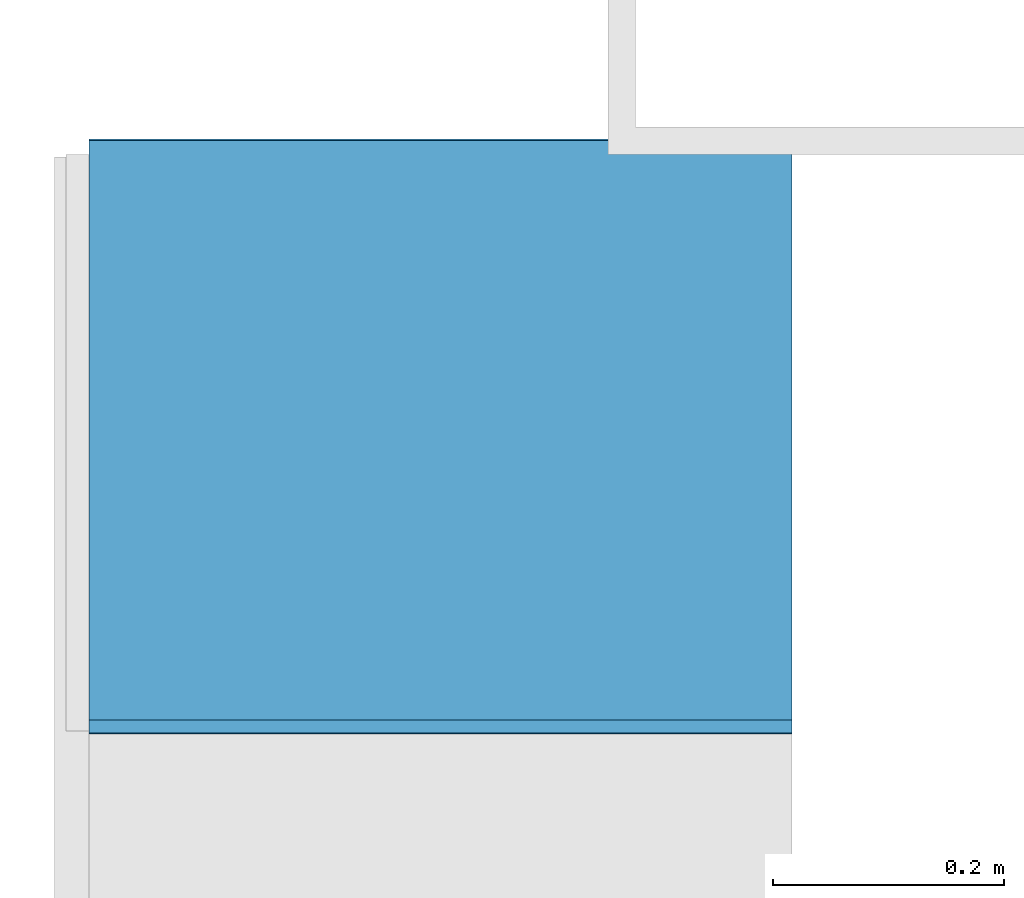
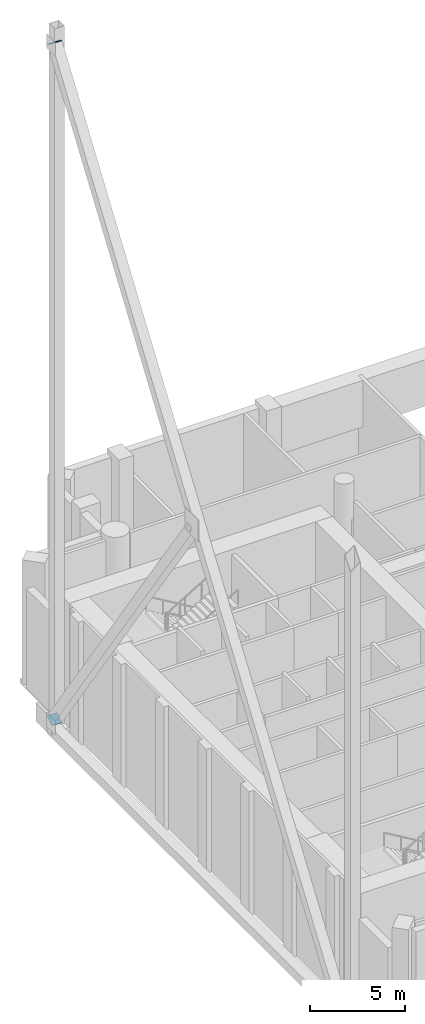
# One storey, part 7 of 14: 2 discrete accessories.
"""IFC4 building model written with IfcOpenShell, lengths in metres."""

from ifc_helpers import new_model, si_unit, direction, frame, origin, origin_2d, place, context, subcontext, project, spatial, rectangle, extrude, material, material_profile, profile_set, type_object, element, save


model = new_model("IFC4")

# Units and contexts
model_context = context("Model", 3, precision=1e-05, world=origin(), true_north=direction((0.0, 1.0)))
body_context = subcontext(model_context, "Body", "Model", "MODEL_VIEW")
ifc_project = project(units=[si_unit("LENGTHUNIT", "METRE"), si_unit("AREAUNIT", "SQUARE_METRE"), si_unit("VOLUMEUNIT", "CUBIC_METRE"), si_unit("PLANEANGLEUNIT", "RADIAN"), si_unit("MASSUNIT", "GRAM", prefix="KILO")], contexts=[model_context])

# Site, building, storey
site_placement = place(None, origin())
site = spatial("IfcSite", under=ifc_project, at=site_placement, CompositionType="ELEMENT")
building_placement = place(site_placement, origin())
building = spatial("IfcBuilding", under=site, at=building_placement, Name="Cypress Arch Tower", CompositionType="ELEMENT")
storey_placement = place(building_placement, frame((0.0, 0.0, 152.5)))
storey = spatial("IfcBuildingStorey", under=building, at=storey_placement, Name="L33", CompositionType="ELEMENT", Elevation=152.5)

# Discrete accessories
ifc_material = material(Name="Steel ASTM A992", Category="steel")
ifc_material_profile = material_profile(ifc_material, rectangle(XDim=0.609619140625, YDim=0.609619140625, at=origin_2d()), Name="PL 20 610x610")
ifc_profile_set = profile_set([ifc_material_profile], Name="Steel ASTM A992")
discrete_accessory_type = type_object("IfcDiscreteAccessoryType", Name="End cap plate 610x610x20 Steel ASTM A992", PredefinedType="ANCHORPLATE", material=ifc_profile_set)
discrete_accessory_1_placement = place(storey_placement, frame((-30.7548828125, 15.044921875, 44.23291015625), z_axis=(0.0, 0.566006502692, 0.824400775661), x_axis=(-1.0, 0.0, 0.0)))
element("IfcDiscreteAccessory", 1, at=discrete_accessory_1_placement, inside=storey, type_object=discrete_accessory_type, Name="End cap plate west bracing 3", PredefinedType="ANCHORPLATE", context=body_context, shape_type="SweptSolid", body=[
    extrude(rectangle(XDim=0.609619140625, YDim=0.609619140625, at=origin_2d()), origin(), (0.0, 0.0, 1.0), 0.019775390625),
])
discrete_accessory_2_placement = place(storey_placement, frame((-30.7548828125, 15.044921875, 0.667236328125), z_axis=(0.0, 0.560309367704, -0.828283413128), x_axis=(-1.0, 0.0, 0.0)))
element("IfcDiscreteAccessory", 2, at=discrete_accessory_2_placement, inside=storey, type_object=discrete_accessory_type, Name="End cap plate west bracing 3", PredefinedType="ANCHORPLATE", context=body_context, shape_type="SweptSolid", body=[
    extrude(rectangle(XDim=0.609619140625, YDim=0.609619140625, at=origin_2d()), origin(), (0.0, 0.0, 1.0), 0.02001953125),
])

save(model, "model.ifc")
